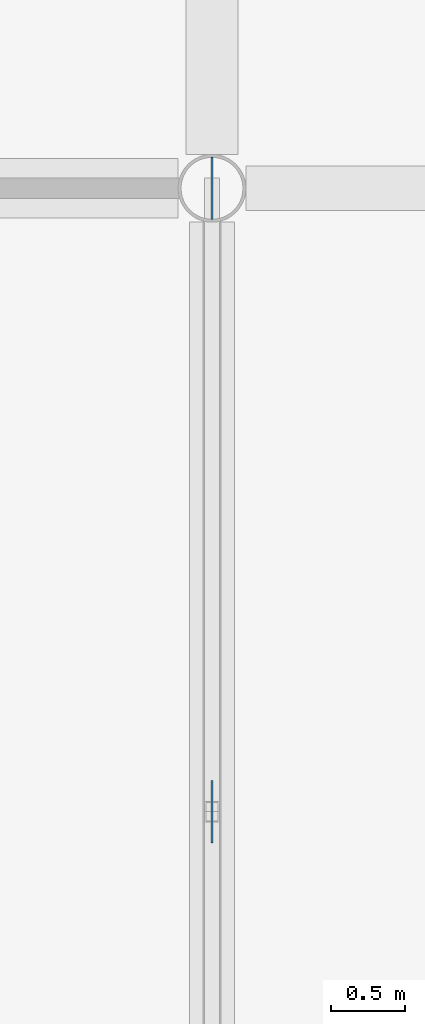
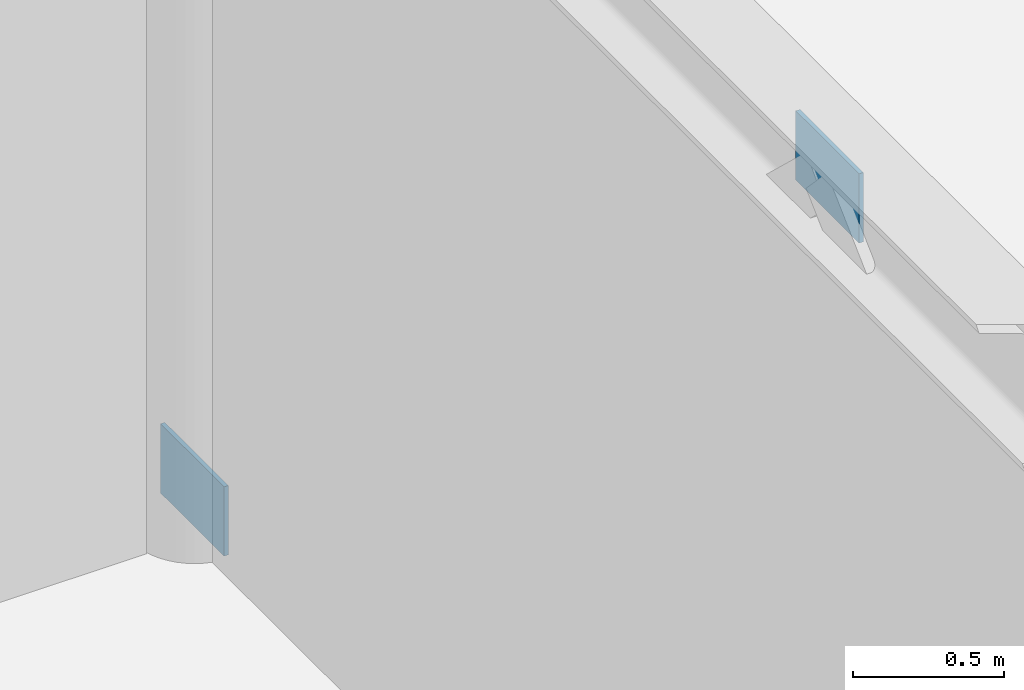
# One storey, part 92 of 144: 2 plates.
"""IFC4 building model written with IfcOpenShell, lengths in metres."""

import ifcopenshell
import ifcopenshell.guid

model = None  # the IFC model being written
_history = None  # IfcOwnerHistory: only IFC2X3 demands one
_inside = {}  # id of a spatial element -> (the spatial element, [elements in it])
_under = {}  # id of a project, library or spatial element -> (it, [spatial elements below it])
_declared = {}  # id of a project -> (the project, [libraries it declares])
_typed = {}  # id of a type object -> (the type object, [elements of that type])
_made_of = {}  # id of a material, layer set ... -> (it, [elements and type objects made of it])


def new_model(schema):
    """Start an empty IFC model of exactly this schema.

    Asked for "IFC4X3", IfcOpenShell would pick the latest addendum, in which some entities
    have other attributes; the version numbers below select the first issue.
    IFC2X3 requires an IfcOwnerHistory on every rooted entity: one is made here for all.
    """
    global model, _history
    if schema == "IFC4X3":
        model = ifcopenshell.file(schema_version=(4, 3, 0, 0))
    else:
        model = ifcopenshell.file(schema=schema)
    _inside.clear()
    _under.clear()
    _declared.clear()
    _typed.clear()
    _made_of.clear()
    _history = None
    if model.schema == "IFC2X3":
        org = make("IfcOrganization", Name="unknown")
        user = make(
            "IfcPersonAndOrganization",
            ThePerson=make("IfcPerson", FamilyName="unknown"),
            TheOrganization=org,
        )
        app = make(
            "IfcApplication",
            ApplicationDeveloper=org,
            Version="unknown",
            ApplicationFullName="unknown",
            ApplicationIdentifier="unknown",
        )
        _history = make(
            "IfcOwnerHistory",
            OwningUser=user,
            OwningApplication=app,
            ChangeAction="ADDED",
            CreationDate=0,
        )
    return model


def make(cls, **values):
    """One entity of the class cls with the attributes given. An attribute that is None is left unset."""
    return model.create_entity(
        cls, **{name: value for name, value in values.items() if value is not None}
    )


def rooted(cls, **values):
    """An entity with a GlobalId (a new one), such as an element, a storey or a relation."""
    return make(cls, GlobalId=ifcopenshell.guid.new(), OwnerHistory=_history, **values)


def si_unit(unit_type, name, prefix=None):
    """IfcSIUnit, for example si_unit("LENGTHUNIT", "METRE", prefix="MILLI")."""
    return make("IfcSIUnit", UnitType=unit_type, Prefix=prefix, Name=name)


def assignment(units):
    """IfcUnitAssignment: the units of a project."""
    return None if units is None else make("IfcUnitAssignment", Units=units)


def point(xyz):
    """IfcCartesianPoint."""
    return None if xyz is None else make("IfcCartesianPoint", Coordinates=xyz)


def direction(xyz):
    """IfcDirection."""
    return None if xyz is None else make("IfcDirection", DirectionRatios=xyz)


def frame(location, z_axis=None, x_axis=None):
    """IfcAxis2Placement3D, a coordinate frame: its origin and axes. An axis left out is left unset."""
    return make(
        "IfcAxis2Placement3D",
        Location=point(location),
        Axis=direction(z_axis),
        RefDirection=direction(x_axis),
    )


def frame_2d(location, x_axis=None):
    """IfcAxis2Placement2D, a coordinate frame in the plane: its origin and x axis."""
    return make(
        "IfcAxis2Placement2D", Location=point(location), RefDirection=direction(x_axis)
    )


def origin():
    """The frame at (0, 0, 0) with its axes left unset."""
    return frame((0.0, 0.0, 0.0))


def origin_2d():
    """The frame at (0, 0) in the plane with its x axis left unset."""
    return frame_2d((0.0, 0.0))


def place(relative_to, where):
    """IfcLocalPlacement: puts the frame where relative to a parent placement (None: the world)."""
    return make(
        "IfcLocalPlacement", PlacementRelTo=relative_to, RelativePlacement=where
    )


def context(
    kind, dimensions, precision=None, world=None, true_north=None, identifier=None
):
    """IfcGeometricRepresentationContext, for example the 3D "Model" context."""
    return make(
        "IfcGeometricRepresentationContext",
        ContextIdentifier=identifier,
        ContextType=kind,
        CoordinateSpaceDimension=dimensions,
        Precision=precision,
        WorldCoordinateSystem=world,
        TrueNorth=true_north,
    )


def subcontext(parent, identifier, kind, view, scale=None):
    """IfcGeometricRepresentationSubContext, for example "Body" below "Model"."""
    return make(
        "IfcGeometricRepresentationSubContext",
        ContextIdentifier=identifier,
        ContextType=kind,
        ParentContext=parent,
        TargetScale=scale,
        TargetView=view,
    )


def project(units=None, contexts=None):
    """IfcProject with its units and contexts."""
    return rooted(
        "IfcProject",
        Name="project",
        RepresentationContexts=contexts,
        UnitsInContext=assignment(units),
    )


def spatial(cls, under=None, at=None, **own):
    """A site, building, storey or space (cls), placed at a placement, below another one or the project."""
    s = rooted(cls, ObjectPlacement=at, **own)
    if under is not None:
        _under.setdefault(under.id(), (under, []))[1].append(s)
    return s


def profile(cls, at=None, kind="AREA", **sizes):
    """A parametric profile (cls). Its sizes go by their IFC names, for example OverallWidth=200.0."""
    return make(cls, ProfileType=kind, Position=at, **sizes)


def rectangle(**sizes):
    """IfcRectangleProfileDef."""
    return profile("IfcRectangleProfileDef", **sizes)


def extrude(swept, where, along, depth):
    """IfcExtrudedAreaSolid: the profile swept, set in the frame where, extruded along a direction by depth."""
    return make(
        "IfcExtrudedAreaSolid",
        SweptArea=swept,
        Position=where,
        ExtrudedDirection=direction(along),
        Depth=depth,
    )


def shape(context_of_items, identifier, shape_type, items):
    """IfcShapeRepresentation: the items that make up one representation, for example the "Body"."""
    return make(
        "IfcShapeRepresentation",
        ContextOfItems=context_of_items,
        RepresentationIdentifier=identifier,
        RepresentationType=shape_type,
        Items=items,
    )


def material(Name=None, Category=None):
    """IfcMaterial."""
    return make("IfcMaterial", Name=Name, Category=Category)


def layer(
    of_material, thickness, ventilated=None, Name=None, Category=None, Priority=None
):
    """IfcMaterialLayer: one layer of a wall or slab, of a material (None: an air gap)."""
    return make(
        "IfcMaterialLayer",
        Material=of_material,
        LayerThickness=thickness,
        IsVentilated=ventilated,
        Name=Name,
        Category=Category,
        Priority=Priority,
    )


def layer_set(layers, Name=None):
    """IfcMaterialLayerSet."""
    return make("IfcMaterialLayerSet", MaterialLayers=layers, LayerSetName=Name)


def made_of(thing, what):
    """Note that an element or type object is made of a material, layer set ...; save() writes the relation."""
    if what is not None:
        _made_of.setdefault(what.id(), (what, []))[1].append(thing)
    return thing


def type_object(cls, material=None, **own):
    """A type object (cls), such as IfcWallType, which elements share."""
    return made_of(rooted(cls, **own), material)


def element(
    cls,
    number,
    at=None,
    inside=None,
    cuts=None,
    type_object=None,
    material=None,
    context=None,
    identifier="Body",
    shape_type=None,
    held_by="IfcProductDefinitionShape",
    body=None,
    shapes=None,
    **own,
):
    """One element of the class cls, such as IfcWall. Its Tag is "e" and its number.

    at: its placement. inside: the storey or other place that contains it. cuts: it is an
    opening in that element (IfcRelVoidsElement). A single representation is given by context,
    identifier, shape_type and body (its items); several are given by shapes. held_by: the class
    of the entity that holds the representations. save() writes the other relations.
    """
    e = rooted(cls, Tag="e%d" % number, ObjectPlacement=at, **own)
    if body is not None:
        shapes = [shape(context, identifier, shape_type, body)]
    if shapes is not None:
        e.Representation = make(held_by, Representations=shapes)
    if inside is not None:
        _inside.setdefault(inside.id(), (inside, []))[1].append(e)
    if cuts is not None:
        rooted(
            "IfcRelVoidsElement", RelatingBuildingElement=cuts, RelatedOpeningElement=e
        )
    if type_object is not None:
        _typed.setdefault(type_object.id(), (type_object, []))[1].append(e)
    return made_of(e, material)


def aggregate(whole, parts):
    """IfcRelAggregates: a whole, such as a stair, and the parts it consists of."""
    return rooted("IfcRelAggregates", RelatingObject=whole, RelatedObjects=parts)


def save(model, path):
    """Write the relations noted so far, then the file.

    IfcRelAggregates (storeys below a building ...), IfcRelContainedInSpatialStructure (elements
    in a storey), IfcRelDefinesByType, IfcRelAssociatesMaterial and IfcRelDeclares: one each for
    every whole, place, type object, material and project.
    """
    for whole, parts in _under.values():
        aggregate(whole, parts)
    for where, things in _inside.values():
        rooted(
            "IfcRelContainedInSpatialStructure",
            RelatedElements=things,
            RelatingStructure=where,
        )
    for kind, things in _typed.values():
        rooted("IfcRelDefinesByType", RelatedObjects=things, RelatingType=kind)
    for what, things in _made_of.values():
        rooted("IfcRelAssociatesMaterial", RelatedObjects=things, RelatingMaterial=what)
    for by, libraries in _declared.values():
        rooted("IfcRelDeclares", RelatingContext=by, RelatedDefinitions=libraries)
    model.write(path)


model = new_model("IFC4")

# Units and contexts
model_context = context("Model", 3, precision=1e-05, world=origin(), true_north=direction((0.0, 1.0)))
body_context = subcontext(model_context, "Body", "Model", "MODEL_VIEW")
ifc_project = project(units=[si_unit("LENGTHUNIT", "METRE"), si_unit("AREAUNIT", "SQUARE_METRE"), si_unit("VOLUMEUNIT", "CUBIC_METRE"), si_unit("PLANEANGLEUNIT", "RADIAN"), si_unit("MASSUNIT", "GRAM", prefix="KILO")], contexts=[model_context])

# Site, building, storey
site_placement = place(None, origin())
site = spatial("IfcSite", under=ifc_project, at=site_placement, CompositionType="ELEMENT")
building_placement = place(site_placement, origin())
building = spatial("IfcBuilding", under=site, at=building_placement, Name="Bramfleet General Hospital", CompositionType="ELEMENT")
storey_placement = place(building_placement, frame((0.0, 0.0, 4.800048828125)))
storey = spatial("IfcBuildingStorey", under=building, at=storey_placement, Name="L01", CompositionType="ELEMENT", Elevation=4.800048828125)

# Plates
ifc_material = material(Name="Steel S355", Category="steel")
ifc_layer = layer(ifc_material, 0.01611328125, Name="PL-GP-420")
ifc_layer_set = layer_set([ifc_layer], Name="Steel S355")
plate_type = type_object("IfcPlateType", Name="PL-GP-420", PredefinedType="USERDEFINED", material=ifc_layer_set)
for number, where, z_axis, x_axis, name in (
    (1, (50.39990234375, 54.60009765625, 3.81005859375), (0.0, 0.0, 1.0), (1.0, 0.0, 0.0), "L01 Chevron Gusset Plate 12"),
    (2, (50.39990234375, 58.800048828125, 0.0), (0.0, 0.0, 1.0), (1.0, 0.0, 0.0), "L01 Brace Foot Gusset Plate 12B"),
):
    element("IfcPlate", number, at=place(storey_placement, frame(where, z_axis=z_axis, x_axis=x_axis)), inside=storey, type_object=plate_type, Name=name, ObjectType="Gusset plate", PredefinedType="USERDEFINED", context=body_context, shape_type="SweptSolid", body=[
        extrude(rectangle(XDim=0.01611328125, YDim=0.419921875, at=origin_2d()), origin(), (0.0, 0.0, 1.0), 0.280029296875),
    ])

save(model, "model.ifc")
